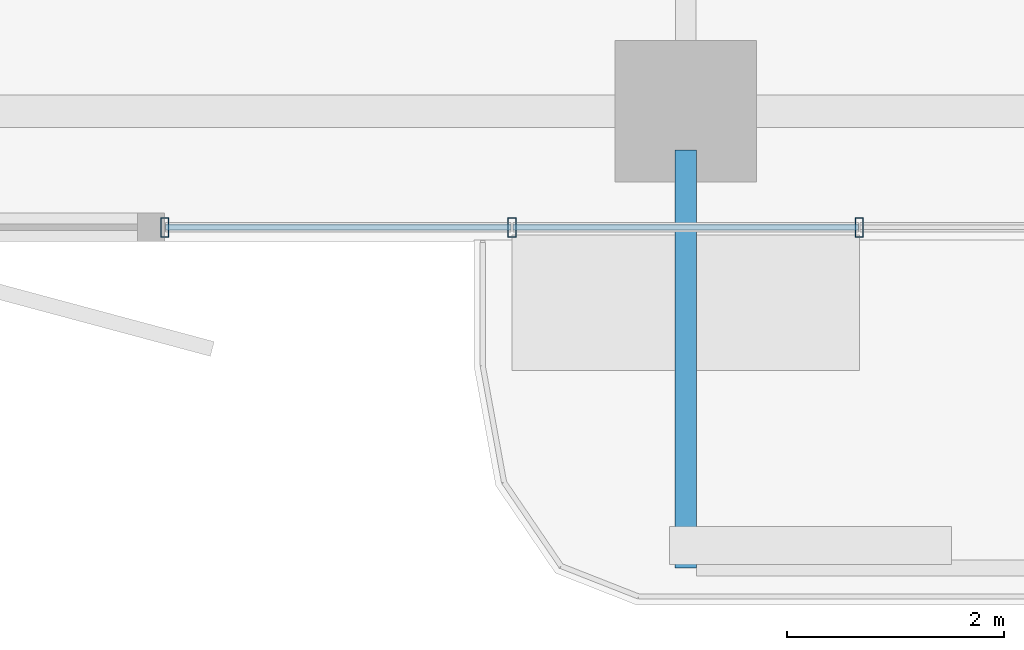
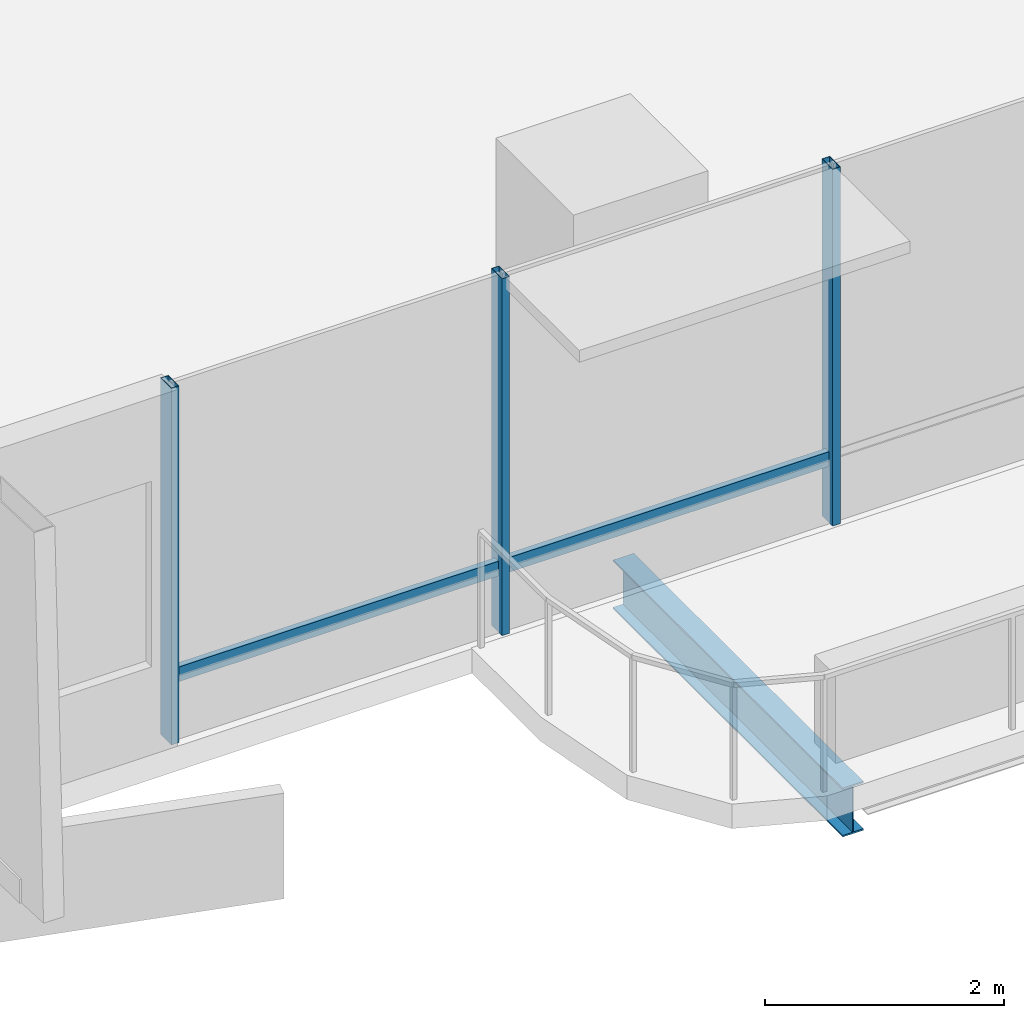
# One storey, part 2 of 24: 5 members, 1 beam, 1 element without a shape of its own.
"""IFC4 building model written with IfcOpenShell, lengths in metres."""

from ifc_helpers import new_model, si_unit, direction, frame, origin, origin_2d, place, context, subcontext, project, spatial, hollow_rectangle, i_section, extrude, material, layer, layer_set, material_profile, profile_set, type_object, element, aggregate, save


model = new_model("IFC4")

# Units and contexts
model_context = context("Model", 3, precision=1e-05, world=origin(), true_north=direction((0.0, 1.0)))
body_context = subcontext(model_context, "Body", "Model", "MODEL_VIEW")
ifc_project = project(units=[si_unit("LENGTHUNIT", "METRE"), si_unit("AREAUNIT", "SQUARE_METRE"), si_unit("VOLUMEUNIT", "CUBIC_METRE"), si_unit("PLANEANGLEUNIT", "RADIAN"), si_unit("MASSUNIT", "GRAM", prefix="KILO")], contexts=[model_context])

# Site, building, storey
site_placement = place(None, origin())
site = spatial("IfcSite", under=ifc_project, at=site_placement, CompositionType="ELEMENT")
building_placement = place(site_placement, origin())
building = spatial("IfcBuilding", under=site, at=building_placement, Name="Belovzor Exchange Tower", CompositionType="ELEMENT")
storey_placement = place(building_placement, frame((0.0, 0.0, 117.300048828125)))
storey = spatial("IfcBuildingStorey", under=building, at=storey_placement, Name="L28", CompositionType="ELEMENT", Elevation=117.300048828125)

# Beam
ifc_material_1 = material(Name="Steel S355", Category="steel")
ifc_material_profile_1 = material_profile(ifc_material_1, i_section(OverallWidth=0.199951171875, OverallDepth=0.5, WebThickness=0.01025390625, FlangeThickness=0.01611328125, at=origin_2d()))
ifc_profile_set_1 = profile_set([ifc_material_profile_1], Name="Steel S355")
beam_type = type_object("IfcBeamType", Name="Planted Balcony Cantilever Beam IPE 500", PredefinedType="BEAM", material=ifc_profile_set_1)
beam_placement = place(storey_placement, frame((28.800048828125, 3.5419921875, -0.5), z_axis=(0.0, -1.0, 0.0), x_axis=(1.0, 0.0, 0.0)))
element("IfcBeam", 1, at=beam_placement, inside=storey, type_object=beam_type, Name="BC-500 Planted Balcony Cantilever Beam IPE 500", PredefinedType="BEAM", context=body_context, shape_type="SweptSolid", body=[
    extrude(i_section(OverallWidth=0.199951171875, OverallDepth=0.5, WebThickness=0.01025390625, FlangeThickness=0.01611328125, at=origin_2d()), origin(), (0.0, 0.0, 1.0), 3.85009765625),
])

# Curtain wall, members
ifc_material_2 = material(Name="Anodised Aluminium Framing", Category="aluminium")
ifc_layer = layer(ifc_material_2, 0.179931640625)
ifc_layer_set = layer_set([ifc_layer], Name="Anodised Aluminium Framing")
curtain_wall_type = type_object("IfcCurtainWallType", Name="Recessed Loggia Low-Iron Triple-Glazed Curtain Wall", PredefinedType="NOTDEFINED", material=ifc_layer_set)
curtain_wall_placement = place(storey_placement, origin())
curtain_wall = element("IfcCurtainWall", 2, at=curtain_wall_placement, inside=storey, type_object=curtain_wall_type, Name="CW3 Recessed Loggia Low-Iron Triple-Glazed Curtain Wall L28", PredefinedType="NOTDEFINED")
ifc_material_3 = material(Name="Steel S355", Category="steel")
ifc_material_profile_2 = material_profile(ifc_material_3, hollow_rectangle(XDim=0.074951171875, YDim=0.179931640625, WallThickness=0.0048828125, at=origin_2d()))
ifc_profile_set_2 = profile_set([ifc_material_profile_2], Name="Steel S355")
member_type_1 = type_object("IfcMemberType", Name="Thermally Broken Curtain Wall Mullion 180x75", PredefinedType="MULLION", material=ifc_profile_set_2)
member_1_placement = place(storey_placement, frame((30.39990234375, 2.830078125, 0.0), z_axis=(0.0, 0.0, 1.0), x_axis=(-1.0, 0.0, 0.0)))
member_1 = element("IfcMember", 3, at=member_1_placement, type_object=member_type_1, Name="CW-M180 Curtain Wall Mullion 2", PredefinedType="MULLION", context=body_context, shape_type="SweptSolid", body=[
    extrude(hollow_rectangle(XDim=0.074951171875, YDim=0.179931640625, WallThickness=0.0048828125, at=origin_2d()), origin(), (0.0, 0.0, 1.0), 3.64990234375),
])
member_2_placement = place(storey_placement, frame((27.199951171875, 2.830078125, 0.0), z_axis=(0.0, 0.0, 1.0), x_axis=(-1.0, 0.0, 0.0)))
member_2 = element("IfcMember", 4, at=member_2_placement, type_object=member_type_1, Name="CW-M180 Curtain Wall Mullion 3", PredefinedType="MULLION", context=body_context, shape_type="SweptSolid", body=[
    extrude(hollow_rectangle(XDim=0.074951171875, YDim=0.179931640625, WallThickness=0.0048828125, at=origin_2d()), origin(), (0.0, 0.0, 1.0), 3.64990234375),
])
member_3_placement = place(storey_placement, frame((24.0, 2.830078125, 0.0), z_axis=(0.0, 0.0, 1.0), x_axis=(-1.0, 0.0, 0.0)))
member_3 = element("IfcMember", 5, at=member_3_placement, type_object=member_type_1, Name="CW-M180 Curtain Wall Mullion 4", PredefinedType="MULLION", context=body_context, shape_type="SweptSolid", body=[
    extrude(hollow_rectangle(XDim=0.074951171875, YDim=0.179931640625, WallThickness=0.0048828125, at=origin_2d()), origin(), (0.0, 0.0, 1.0), 3.64990234375),
])
ifc_material_4 = material(Name="Steel S355", Category="steel")
ifc_material_profile_3 = material_profile(ifc_material_4, hollow_rectangle(XDim=0.06005859375, YDim=0.14990234375, WallThickness=0.00390625, at=origin_2d()))
ifc_profile_set_3 = profile_set([ifc_material_profile_3], Name="Steel S355")
member_type_2 = type_object("IfcMemberType", Name="Thermally Broken Curtain Wall Transom 150x60", PredefinedType="USERDEFINED", material=ifc_profile_set_3)
member_4_placement = place(storey_placement, frame((30.39208984375, 2.830078125, 0.64990234375), z_axis=(-1.0, 0.0, 0.0), x_axis=(0.0, -1.0, 0.0)))
member_4 = element("IfcMember", 6, at=member_4_placement, type_object=member_type_2, Name="CW-T150 Curtain Wall Transom 2", ObjectType="TRANSOM", PredefinedType="USERDEFINED", context=body_context, shape_type="SweptSolid", body=[
    extrude(hollow_rectangle(XDim=0.06005859375, YDim=0.14990234375, WallThickness=0.00390625, at=origin_2d()), origin(), (0.0, 0.0, 1.0), 3.18408203125),
])
member_5_placement = place(storey_placement, frame((27.19189453125, 2.830078125, 0.64990234375), z_axis=(-1.0, 0.0, 0.0), x_axis=(0.0, -1.0, 0.0)))
member_5 = element("IfcMember", 7, at=member_5_placement, type_object=member_type_2, Name="CW-T150 Curtain Wall Transom 3", ObjectType="TRANSOM", PredefinedType="USERDEFINED", context=body_context, shape_type="SweptSolid", body=[
    extrude(hollow_rectangle(XDim=0.06005859375, YDim=0.14990234375, WallThickness=0.00390625, at=origin_2d()), origin(), (0.0, 0.0, 1.0), 3.183837890625),
])
aggregate(curtain_wall, [member_1, member_2, member_3, member_4, member_5])

save(model, "model.ifc")
